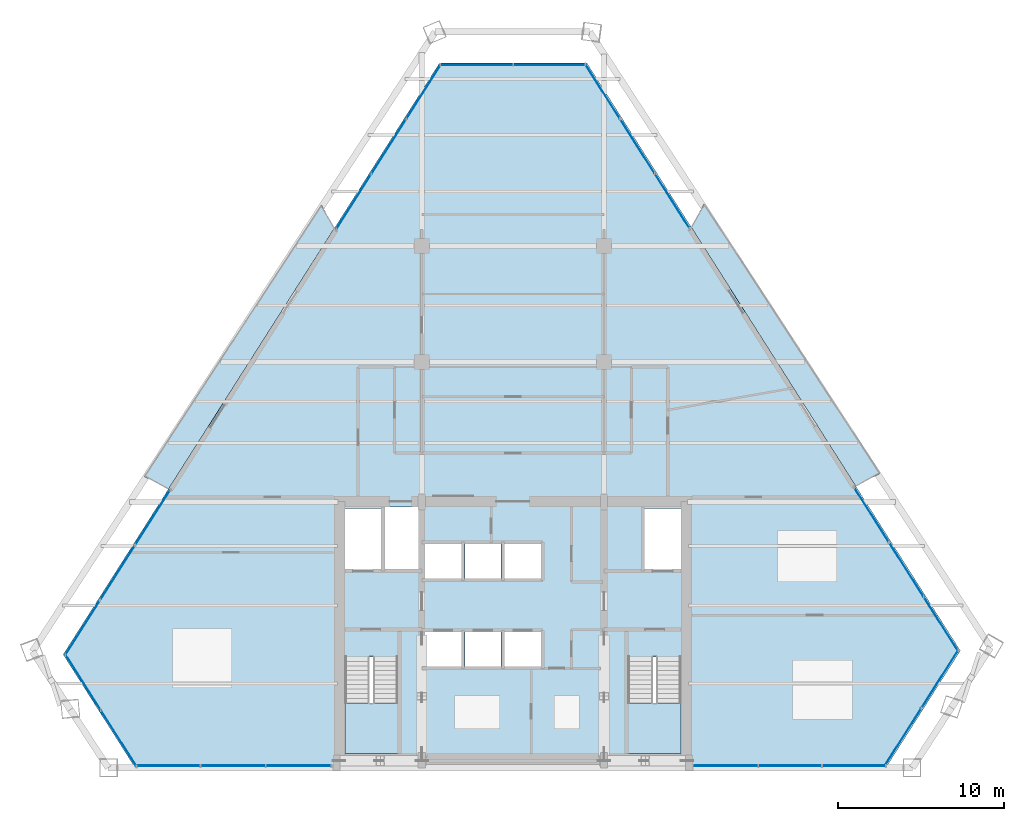
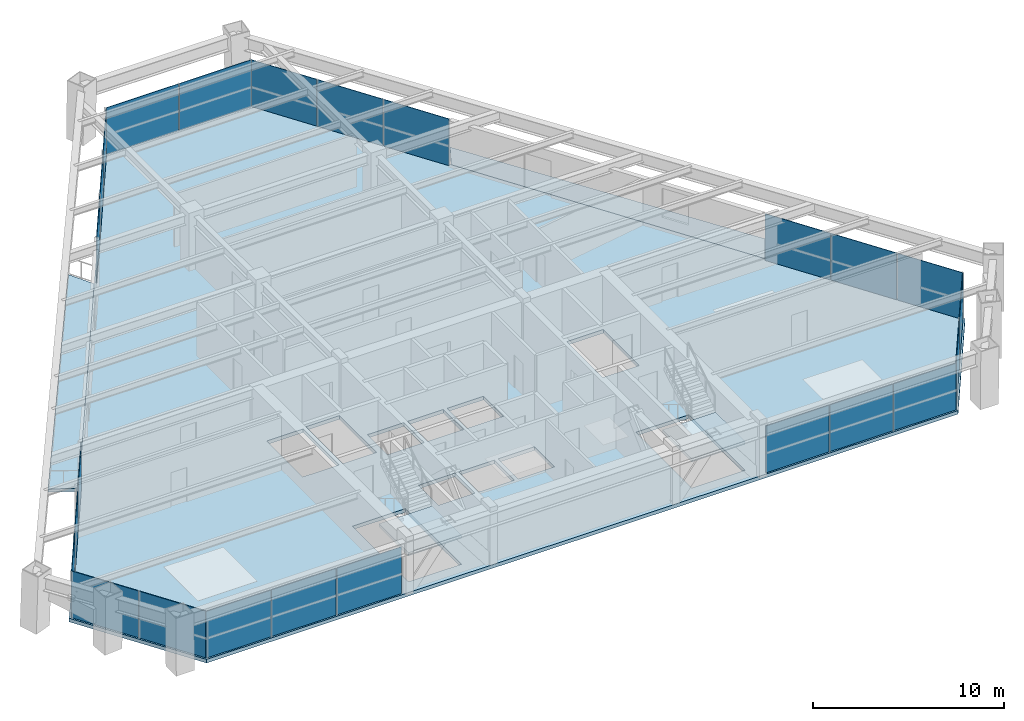
# One storey, part 10 of 15: 24 plates, 5 slabs, 11 elements without a shape of their own.
"""IFC4 building model written with IfcOpenShell, lengths in metres."""

import ifcopenshell
import ifcopenshell.guid

model = None  # the IFC model being written
_history = None  # IfcOwnerHistory: only IFC2X3 demands one
_inside = {}  # id of a spatial element -> (the spatial element, [elements in it])
_under = {}  # id of a project, library or spatial element -> (it, [spatial elements below it])
_declared = {}  # id of a project -> (the project, [libraries it declares])
_typed = {}  # id of a type object -> (the type object, [elements of that type])
_made_of = {}  # id of a material, layer set ... -> (it, [elements and type objects made of it])


def new_model(schema):
    """Start an empty IFC model of exactly this schema.

    Asked for "IFC4X3", IfcOpenShell would pick the latest addendum, in which some entities
    have other attributes; the version numbers below select the first issue.
    IFC2X3 requires an IfcOwnerHistory on every rooted entity: one is made here for all.
    """
    global model, _history
    if schema == "IFC4X3":
        model = ifcopenshell.file(schema_version=(4, 3, 0, 0))
    else:
        model = ifcopenshell.file(schema=schema)
    _inside.clear()
    _under.clear()
    _declared.clear()
    _typed.clear()
    _made_of.clear()
    _history = None
    if model.schema == "IFC2X3":
        org = make("IfcOrganization", Name="unknown")
        user = make(
            "IfcPersonAndOrganization",
            ThePerson=make("IfcPerson", FamilyName="unknown"),
            TheOrganization=org,
        )
        app = make(
            "IfcApplication",
            ApplicationDeveloper=org,
            Version="unknown",
            ApplicationFullName="unknown",
            ApplicationIdentifier="unknown",
        )
        _history = make(
            "IfcOwnerHistory",
            OwningUser=user,
            OwningApplication=app,
            ChangeAction="ADDED",
            CreationDate=0,
        )
    return model


def make(cls, **values):
    """One entity of the class cls with the attributes given. An attribute that is None is left unset."""
    return model.create_entity(
        cls, **{name: value for name, value in values.items() if value is not None}
    )


def rooted(cls, **values):
    """An entity with a GlobalId (a new one), such as an element, a storey or a relation."""
    return make(cls, GlobalId=ifcopenshell.guid.new(), OwnerHistory=_history, **values)


def si_unit(unit_type, name, prefix=None):
    """IfcSIUnit, for example si_unit("LENGTHUNIT", "METRE", prefix="MILLI")."""
    return make("IfcSIUnit", UnitType=unit_type, Prefix=prefix, Name=name)


def assignment(units):
    """IfcUnitAssignment: the units of a project."""
    return None if units is None else make("IfcUnitAssignment", Units=units)


def point(xyz):
    """IfcCartesianPoint."""
    return None if xyz is None else make("IfcCartesianPoint", Coordinates=xyz)


def direction(xyz):
    """IfcDirection."""
    return None if xyz is None else make("IfcDirection", DirectionRatios=xyz)


def frame(location, z_axis=None, x_axis=None):
    """IfcAxis2Placement3D, a coordinate frame: its origin and axes. An axis left out is left unset."""
    return make(
        "IfcAxis2Placement3D",
        Location=point(location),
        Axis=direction(z_axis),
        RefDirection=direction(x_axis),
    )


def frame_2d(location, x_axis=None):
    """IfcAxis2Placement2D, a coordinate frame in the plane: its origin and x axis."""
    return make(
        "IfcAxis2Placement2D", Location=point(location), RefDirection=direction(x_axis)
    )


def origin():
    """The frame at (0, 0, 0) with its axes left unset."""
    return frame((0.0, 0.0, 0.0))


def origin_2d():
    """The frame at (0, 0) in the plane with its x axis left unset."""
    return frame_2d((0.0, 0.0))


def place(relative_to, where):
    """IfcLocalPlacement: puts the frame where relative to a parent placement (None: the world)."""
    return make(
        "IfcLocalPlacement", PlacementRelTo=relative_to, RelativePlacement=where
    )


def context(
    kind, dimensions, precision=None, world=None, true_north=None, identifier=None
):
    """IfcGeometricRepresentationContext, for example the 3D "Model" context."""
    return make(
        "IfcGeometricRepresentationContext",
        ContextIdentifier=identifier,
        ContextType=kind,
        CoordinateSpaceDimension=dimensions,
        Precision=precision,
        WorldCoordinateSystem=world,
        TrueNorth=true_north,
    )


def subcontext(parent, identifier, kind, view, scale=None):
    """IfcGeometricRepresentationSubContext, for example "Body" below "Model"."""
    return make(
        "IfcGeometricRepresentationSubContext",
        ContextIdentifier=identifier,
        ContextType=kind,
        ParentContext=parent,
        TargetScale=scale,
        TargetView=view,
    )


def project(units=None, contexts=None):
    """IfcProject with its units and contexts."""
    return rooted(
        "IfcProject",
        Name="project",
        RepresentationContexts=contexts,
        UnitsInContext=assignment(units),
    )


def spatial(cls, under=None, at=None, **own):
    """A site, building, storey or space (cls), placed at a placement, below another one or the project."""
    s = rooted(cls, ObjectPlacement=at, **own)
    if under is not None:
        _under.setdefault(under.id(), (under, []))[1].append(s)
    return s


def polyline(points):
    """IfcPolyline through the points."""
    return make("IfcPolyline", Points=[point(p) for p in points])


def profile(cls, at=None, kind="AREA", **sizes):
    """A parametric profile (cls). Its sizes go by their IFC names, for example OverallWidth=200.0."""
    return make(cls, ProfileType=kind, Position=at, **sizes)


def rectangle(**sizes):
    """IfcRectangleProfileDef."""
    return profile("IfcRectangleProfileDef", **sizes)


def outline(outer, holes=None, kind="AREA"):
    """IfcArbitraryClosedProfileDef: a profile drawn as a closed curve; with holes, ...WithVoids."""
    if holes is None:
        return make("IfcArbitraryClosedProfileDef", ProfileType=kind, OuterCurve=outer)
    return make(
        "IfcArbitraryProfileDefWithVoids",
        ProfileType=kind,
        OuterCurve=outer,
        InnerCurves=holes,
    )


def extrude(swept, where, along, depth):
    """IfcExtrudedAreaSolid: the profile swept, set in the frame where, extruded along a direction by depth."""
    return make(
        "IfcExtrudedAreaSolid",
        SweptArea=swept,
        Position=where,
        ExtrudedDirection=direction(along),
        Depth=depth,
    )


def shape(context_of_items, identifier, shape_type, items):
    """IfcShapeRepresentation: the items that make up one representation, for example the "Body"."""
    return make(
        "IfcShapeRepresentation",
        ContextOfItems=context_of_items,
        RepresentationIdentifier=identifier,
        RepresentationType=shape_type,
        Items=items,
    )


def source(mapping_origin, context_of_items, identifier, shape_type, items):
    """IfcRepresentationMap: a shape defined once, which mapped items show again and again."""
    return make(
        "IfcRepresentationMap",
        MappingOrigin=mapping_origin,
        MappedRepresentation=shape(context_of_items, identifier, shape_type, items),
    )


def transform(
    local_origin,
    x_axis=None,
    y_axis=None,
    z_axis=None,
    scale=None,
    scale2=None,
    scale3=None,
    uniform=True,
):
    """IfcCartesianTransformationOperator3D, or its non-uniform kind. x_axis, y_axis, z_axis: its Axis1, 2, 3."""
    if uniform:
        return make(
            "IfcCartesianTransformationOperator3D",
            Axis1=direction(x_axis),
            Axis2=direction(y_axis),
            LocalOrigin=point(local_origin),
            Scale=scale,
            Axis3=direction(z_axis),
        )
    return make(
        "IfcCartesianTransformationOperator3DnonUniform",
        Axis1=direction(x_axis),
        Axis2=direction(y_axis),
        LocalOrigin=point(local_origin),
        Scale=scale,
        Axis3=direction(z_axis),
        Scale2=scale2,
        Scale3=scale3,
    )


def mapped(mapping_source, mapping_target):
    """IfcMappedItem: shows the shape of a source again, moved by a transform."""
    return make(
        "IfcMappedItem", MappingSource=mapping_source, MappingTarget=mapping_target
    )


def material(Name=None, Category=None):
    """IfcMaterial."""
    return make("IfcMaterial", Name=Name, Category=Category)


def layer(
    of_material, thickness, ventilated=None, Name=None, Category=None, Priority=None
):
    """IfcMaterialLayer: one layer of a wall or slab, of a material (None: an air gap)."""
    return make(
        "IfcMaterialLayer",
        Material=of_material,
        LayerThickness=thickness,
        IsVentilated=ventilated,
        Name=Name,
        Category=Category,
        Priority=Priority,
    )


def layer_set(layers, Name=None):
    """IfcMaterialLayerSet."""
    return make("IfcMaterialLayerSet", MaterialLayers=layers, LayerSetName=Name)


def made_of(thing, what):
    """Note that an element or type object is made of a material, layer set ...; save() writes the relation."""
    if what is not None:
        _made_of.setdefault(what.id(), (what, []))[1].append(thing)
    return thing


def type_object(cls, material=None, **own):
    """A type object (cls), such as IfcWallType, which elements share."""
    return made_of(rooted(cls, **own), material)


def element(
    cls,
    number,
    at=None,
    inside=None,
    cuts=None,
    type_object=None,
    material=None,
    context=None,
    identifier="Body",
    shape_type=None,
    held_by="IfcProductDefinitionShape",
    body=None,
    shapes=None,
    **own,
):
    """One element of the class cls, such as IfcWall. Its Tag is "e" and its number.

    at: its placement. inside: the storey or other place that contains it. cuts: it is an
    opening in that element (IfcRelVoidsElement). A single representation is given by context,
    identifier, shape_type and body (its items); several are given by shapes. held_by: the class
    of the entity that holds the representations. save() writes the other relations.
    """
    e = rooted(cls, Tag="e%d" % number, ObjectPlacement=at, **own)
    if body is not None:
        shapes = [shape(context, identifier, shape_type, body)]
    if shapes is not None:
        e.Representation = make(held_by, Representations=shapes)
    if inside is not None:
        _inside.setdefault(inside.id(), (inside, []))[1].append(e)
    if cuts is not None:
        rooted(
            "IfcRelVoidsElement", RelatingBuildingElement=cuts, RelatedOpeningElement=e
        )
    if type_object is not None:
        _typed.setdefault(type_object.id(), (type_object, []))[1].append(e)
    return made_of(e, material)


def aggregate(whole, parts):
    """IfcRelAggregates: a whole, such as a stair, and the parts it consists of."""
    return rooted("IfcRelAggregates", RelatingObject=whole, RelatedObjects=parts)


def save(model, path):
    """Write the relations noted so far, then the file.

    IfcRelAggregates (storeys below a building ...), IfcRelContainedInSpatialStructure (elements
    in a storey), IfcRelDefinesByType, IfcRelAssociatesMaterial and IfcRelDeclares: one each for
    every whole, place, type object, material and project.
    """
    for whole, parts in _under.values():
        aggregate(whole, parts)
    for where, things in _inside.values():
        rooted(
            "IfcRelContainedInSpatialStructure",
            RelatedElements=things,
            RelatingStructure=where,
        )
    for kind, things in _typed.values():
        rooted("IfcRelDefinesByType", RelatedObjects=things, RelatingType=kind)
    for what, things in _made_of.values():
        rooted("IfcRelAssociatesMaterial", RelatedObjects=things, RelatingMaterial=what)
    for by, libraries in _declared.values():
        rooted("IfcRelDeclares", RelatingContext=by, RelatedDefinitions=libraries)
    model.write(path)


model = new_model("IFC4")

# Units and contexts
model_context = context("Model", 3, precision=1e-05, world=origin(), true_north=direction((0.0, 1.0)))
body_context = subcontext(model_context, "Body", "Model", "MODEL_VIEW")
ifc_project = project(units=[si_unit("LENGTHUNIT", "METRE"), si_unit("AREAUNIT", "SQUARE_METRE"), si_unit("VOLUMEUNIT", "CUBIC_METRE"), si_unit("PLANEANGLEUNIT", "RADIAN"), si_unit("MASSUNIT", "GRAM", prefix="KILO")], contexts=[model_context])

# Site, building, storey
site_placement = place(None, origin())
site = spatial("IfcSite", under=ifc_project, at=site_placement, CompositionType="ELEMENT")
building_placement = place(site_placement, origin())
building = spatial("IfcBuilding", under=site, at=building_placement, Name="Varnakhor Terracotta Tower", CompositionType="ELEMENT")
storey_placement = place(building_placement, frame((0.0, 0.0, 162.60009765625)))
storey = spatial("IfcBuildingStorey", under=building, at=storey_placement, Name="L41", CompositionType="ELEMENT", Elevation=162.60009765625)

# Stair, slab
ifc_material_1 = material(Name="Concrete C40/50", Category="concrete")
stair_type = type_object("IfcStairType", Name="STR-CORE-OFFICE-1500", PredefinedType="HALF_TURN_STAIR", material=ifc_material_1)
stair_1_placement = place(storey_placement, origin())
stair_1 = element("IfcStair", 1, at=stair_1_placement, inside=storey, type_object=stair_type, Name="L41 Core Exit Stair ST-1", PredefinedType="HALF_TURN_STAIR")
ifc_layer_1 = layer(ifc_material_1, 0.179931640625, Name="Concrete C40/50")
ifc_layer_set_1 = layer_set([ifc_layer_1], Name="Concrete C40/50")
slab_type_1 = type_object("IfcSlabType", Name="SLB-LANDING-180", PredefinedType="LANDING", material=ifc_layer_set_1)
slab_1_placement = place(storey_placement, frame((0.0, 0.0, 1.64990234375)))
slab_1 = element("IfcSlab", 2, at=slab_1_placement, type_object=slab_type_1, Name="ST-1 landing 1", PredefinedType="LANDING", context=body_context, shape_type="SweptSolid", body=[
    extrude(outline(polyline([(-10.14990234375, 3.909912109375), (-10.14990234375, 0.85009765625), (-6.949951171875, 0.85009765625), (-6.949951171875, 3.909912109375), (-10.14990234375, 3.909912109375)])), origin(), (0.0, 0.0, 1.0), 0.199951171875),
])
aggregate(stair_1, [slab_1])

stair_2_placement = place(storey_placement, origin())
stair_2 = element("IfcStair", 3, at=stair_2_placement, inside=storey, type_object=stair_type, Name="L41 Core Exit Stair ST-2", PredefinedType="HALF_TURN_STAIR")
slab_2_placement = place(storey_placement, frame((0.0, 0.0, 1.64990234375)))
slab_2 = element("IfcSlab", 4, at=slab_2_placement, type_object=slab_type_1, Name="ST-2 landing 1", PredefinedType="LANDING", context=body_context, shape_type="SweptSolid", body=[
    extrude(outline(polyline([(6.949951171875, 3.909912109375), (6.949951171875, 0.85009765625), (10.14990234375, 0.85009765625), (10.14990234375, 3.909912109375), (6.949951171875, 3.909912109375)])), origin(), (0.0, 0.0, 1.0), 0.199951171875),
])
aggregate(stair_2, [slab_2])

# Slabs
ifc_layer_2 = layer(ifc_material_1, 0.195068359375, Name="Concrete C40/50")
ifc_layer_set_2 = layer_set([ifc_layer_2], Name="Concrete C40/50")
slab_type_2 = type_object("IfcSlabType", Name="SLB-LOGGIA-EXT-195", PredefinedType="FLOOR", material=ifc_layer_set_2)
slab_3_placement = place(storey_placement, frame((0.0, 0.0, -0.195068359375)))
element("IfcSlab", 5, at=slab_3_placement, inside=storey, type_object=slab_type_2, Name="L41 E Recessed Outdoor Loggia Slab", PredefinedType="FLOOR", context=body_context, shape_type="SweptSolid", body=[
    extrude(outline(polyline([(11.527099609375, 34.039794921875), (22.144287109375, 17.74365234375), (20.699462890625, 17.005859375), (10.775634765625, 32.62451171875), (11.527099609375, 34.039794921875)])), origin(), (0.0, 0.0, 1.0), 0.195068359375),
])
slab_4_placement = place(storey_placement, frame((0.0, 0.0, -0.195068359375)))
element("IfcSlab", 6, at=slab_4_placement, inside=storey, type_object=slab_type_2, Name="L41 W Recessed Outdoor Loggia Slab", PredefinedType="FLOOR", context=body_context, shape_type="SweptSolid", body=[
    extrude(outline(polyline([(-22.2421875, 17.570556640625), (-11.54248046875, 33.97265625), (-10.7880859375, 32.559814453125), (-20.7900390625, 16.840087890625), (-22.2421875, 17.570556640625)])), origin(), (0.0, 0.0, 1.0), 0.195068359375),
])
ifc_layer_3 = layer(ifc_material_1, 0.22998046875, Name="Concrete C40/50")
ifc_layer_set_3 = layer_set([ifc_layer_3], Name="Concrete C40/50")
slab_type_3 = type_object("IfcSlabType", Name="SLB-OFF-230", PredefinedType="FLOOR", material=ifc_layer_set_3)
slab_5_placement = place(storey_placement, frame((0.0, 0.0, -0.22998046875)))
element("IfcSlab", 7, at=slab_5_placement, inside=storey, type_object=slab_type_3, Name="L41 Structural Floor Slab", PredefinedType="FLOOR", context=body_context, shape_type="SweptSolid", body=[
    extrude(outline(polyline([(-27.15478515625, 6.83642578125), (-4.423583984375, 42.5634765625), (4.460693359375, 42.5634765625), (27.014404296875, 7.066650390625), (22.518310546875, 0.0), (-22.81103515625, 0.0), (-27.15478515625, 6.83642578125)]), holes=[polyline([(-6.949951171875, 0.85009765625), (-6.949951171875, 6.695068359375), (-10.14990234375, 6.695068359375), (-10.14990234375, 0.85009765625), (-6.949951171875, 0.85009765625)]), polyline([(-3.10009765625, 6.10009765625), (-3.10009765625, 8.199951171875), (-5.300048828125, 8.199951171875), (-5.300048828125, 6.10009765625), (-3.10009765625, 6.10009765625)]), polyline([(-0.719970703125, 6.10009765625), (-0.719970703125, 8.199951171875), (-2.8798828125, 8.199951171875), (-2.8798828125, 6.10009765625), (-0.719970703125, 6.10009765625)]), polyline([(-5.300048828125, 11.419921875), (-3.10009765625, 11.419921875), (-3.10009765625, 13.52001953125), (-5.300048828125, 13.52001953125), (-5.300048828125, 11.419921875)]), polyline([(-10.14990234375, 11.8798828125), (-7.949951171875, 11.8798828125), (-7.949951171875, 15.64990234375), (-10.14990234375, 15.64990234375), (-10.14990234375, 11.8798828125)]), polyline([(-5.699951171875, 11.8798828125), (-5.699951171875, 15.75), (-7.72998046875, 15.75), (-7.72998046875, 11.8798828125), (-5.699951171875, 11.8798828125)]), polyline([(6.949951171875, 0.85009765625), (10.14990234375, 0.85009765625), (10.14990234375, 6.695068359375), (6.949951171875, 6.695068359375), (6.949951171875, 0.85009765625)]), polyline([(-0.5, 6.10009765625), (1.699951171875, 6.10009765625), (1.699951171875, 8.199951171875), (-0.5, 8.199951171875), (-0.5, 6.10009765625)]), polyline([(-0.719970703125, 11.419921875), (-0.719970703125, 13.52001953125), (-2.8798828125, 13.52001953125), (-2.8798828125, 11.419921875), (-0.719970703125, 11.419921875)]), polyline([(-0.5, 11.419921875), (1.699951171875, 11.419921875), (1.699951171875, 13.52001953125), (-0.5, 13.52001953125), (-0.5, 11.419921875)]), polyline([(7.949951171875, 11.8798828125), (10.14990234375, 11.8798828125), (10.14990234375, 15.64990234375), (7.949951171875, 15.64990234375), (7.949951171875, 11.8798828125)])]), origin(), (0.0, 0.0, 1.0), 0.22998046875),
])

# Curtain wall, plate
ifc_material_2 = material(Name="Anodised Aluminium Curtain Wall System", Category="aluminium")
curtain_wall_type = type_object("IfcCurtainWallType", Name="CW-SYS-MID-OFFICE", PredefinedType="NOTDEFINED", material=ifc_material_2)
curtain_wall_1_placement = place(storey_placement, origin())
curtain_wall_1 = element("IfcCurtainWall", 8, at=curtain_wall_1_placement, inside=storey, type_object=curtain_wall_type, Name="L41 W Facet Curtain Wall 1", PredefinedType="NOTDEFINED")
ifc_material_3 = material(Name="Solar-Control Low-E Insulated Glass Panel", Category="glass")
ifc_layer_4 = layer(ifc_material_3, 0.035888671875, Name="Solar-Control Low-E Insulated Glass Panel")
ifc_layer_set_4 = layer_set([ifc_layer_4], Name="Solar-Control Low-E Insulated Glass Panel")
plate_type = type_object("IfcPlateType", Name="CWP-03", PredefinedType="CURTAIN_PANEL", material=ifc_layer_set_4)
shared_shape_1 = source(origin(), body_context, "Body", "SweptSolid", [
    extrude(rectangle(XDim=3.89208984375, YDim=0.035888671875, at=origin_2d()), origin(), (0.0, 0.0, 1.0), 2.97998046875),
])
plate_1_placement = place(storey_placement, frame((-25.98193359375, 8.4560546875, 0.0), z_axis=(0.0, 0.0, 1.0), x_axis=(0.536799035216, 0.843710137305, 0.0)))
plate_1 = element("IfcPlate", 9, at=plate_1_placement, type_object=plate_type, Name="L41 W Facet Curtain Wall 1 Glazed Panel 1", PredefinedType="CURTAIN_PANEL", context=body_context, shape_type="MappedRepresentation", body=[
    mapped(shared_shape_1, transform((0.0, 0.0, 0.0), scale=1.0)),
])

curtain_wall_2_placement = place(storey_placement, origin())
curtain_wall_2 = element("IfcCurtainWall", 10, at=curtain_wall_2_placement, inside=storey, type_object=curtain_wall_type, Name="L41 W Facet Curtain Wall 2", PredefinedType="NOTDEFINED")
plate_2_placement = place(storey_placement, frame((-7.504638671875, 37.497314453125, 0.0), z_axis=(0.0, 0.0, 1.0), x_axis=(0.536799035216, 0.843710137305, 0.0)))
plate_2 = element("IfcPlate", 11, at=plate_2_placement, type_object=plate_type, Name="L41 W Facet Curtain Wall 2 Glazed Panel 2", PredefinedType="CURTAIN_PANEL", context=body_context, shape_type="MappedRepresentation", body=[
    mapped(shared_shape_1, transform((0.0, 0.0, 0.0), scale=1.0)),
])

# Plate
shared_shape_2 = source(origin(), body_context, "Body", "SweptSolid", [
    extrude(rectangle(XDim=3.892333984375, YDim=0.035888671875, at=origin_2d()), origin(), (0.0, 0.0, 1.0), 2.97998046875),
])
plate_3_placement = place(storey_placement, frame((-23.87109375, 11.773681640625, 0.0), z_axis=(0.0, 0.0, 1.0), x_axis=(0.536799035216, 0.843710137305, 0.0)))
plate_3 = element("IfcPlate", 12, at=plate_3_placement, type_object=plate_type, Name="L41 W Facet Curtain Wall 1 Glazed Panel 2", PredefinedType="CURTAIN_PANEL", context=body_context, shape_type="MappedRepresentation", body=[
    mapped(shared_shape_2, transform((0.0, 0.0, 0.0), scale=1.0)),
])

plate_4_placement = place(storey_placement, frame((-21.76025390625, 15.091552734375, 0.0), z_axis=(0.0, 0.0, 1.0), x_axis=(0.536799035216, 0.843710137305, 0.0)))
plate_4 = element("IfcPlate", 13, at=plate_4_placement, type_object=plate_type, Name="L41 W Facet Curtain Wall 1 Glazed Panel 3", PredefinedType="CURTAIN_PANEL", context=body_context, shape_type="MappedRepresentation", body=[
    mapped(shared_shape_2, transform((0.0, 0.0, 0.0), scale=1.0)),
])

aggregate(curtain_wall_1, [plate_1, plate_3, plate_4])

plate_5_placement = place(storey_placement, frame((-9.615478515625, 34.1796875, 0.0), z_axis=(0.0, 0.0, 1.0), x_axis=(0.536799035216, 0.843710137305, 0.0)))
plate_5 = element("IfcPlate", 14, at=plate_5_placement, type_object=plate_type, Name="L41 W Facet Curtain Wall 2 Glazed Panel 1", PredefinedType="CURTAIN_PANEL", context=body_context, shape_type="MappedRepresentation", body=[
    mapped(shared_shape_2, transform((0.0, 0.0, 0.0), scale=1.0)),
])

plate_6_placement = place(storey_placement, frame((-5.393798828125, 40.81494140625, 0.0), z_axis=(0.0, 0.0, 1.0), x_axis=(0.536799035216, 0.843710137305, 0.0)))
plate_6 = element("IfcPlate", 15, at=plate_6_placement, type_object=plate_type, Name="L41 W Facet Curtain Wall 2 Glazed Panel 3", PredefinedType="CURTAIN_PANEL", context=body_context, shape_type="MappedRepresentation", body=[
    mapped(shared_shape_2, transform((0.0, 0.0, 0.0), scale=1.0)),
])

aggregate(curtain_wall_2, [plate_5, plate_2, plate_6])

# Curtain wall, plates
curtain_wall_3_placement = place(storey_placement, origin())
curtain_wall_3 = element("IfcCurtainWall", 16, at=curtain_wall_3_placement, inside=storey, type_object=curtain_wall_type, Name="L41 Facet Curtain Wall 2", PredefinedType="NOTDEFINED")
shared_shape_3 = source(origin(), body_context, "Body", "SweptSolid", [
    extrude(rectangle(XDim=4.3720703125, YDim=0.035888671875, at=origin_2d()), origin(), (0.0, 0.0, 1.0), 2.97998046875),
])
plate_7_placement = place(storey_placement, frame((-2.1875, 42.443603515625, 0.0), z_axis=(0.0, 0.0, 1.0), x_axis=(1.0, 0.0, 0.0)))
plate_7 = element("IfcPlate", 17, at=plate_7_placement, type_object=plate_type, Name="L41 Facet Curtain Wall 2 Glazed Panel 1", PredefinedType="CURTAIN_PANEL", context=body_context, shape_type="MappedRepresentation", body=[
    mapped(shared_shape_3, transform((0.0, 0.0, 0.0), scale=1.0)),
])
plate_8_placement = place(storey_placement, frame((2.224609375, 42.443603515625, 0.0), z_axis=(0.0, 0.0, 1.0), x_axis=(1.0, 0.0, 0.0)))
plate_8 = element("IfcPlate", 18, at=plate_8_placement, type_object=plate_type, Name="L41 Facet Curtain Wall 2 Glazed Panel 2", PredefinedType="CURTAIN_PANEL", context=body_context, shape_type="MappedRepresentation", body=[
    mapped(shared_shape_3, transform((0.0, 0.0, 0.0), scale=1.0)),
])
aggregate(curtain_wall_3, [plate_7, plate_8])

curtain_wall_4_placement = place(storey_placement, origin())
curtain_wall_4 = element("IfcCurtainWall", 19, at=curtain_wall_4_placement, inside=storey, type_object=curtain_wall_type, Name="L41 E Facet Curtain Wall 1", PredefinedType="NOTDEFINED")
shared_shape_4 = source(origin(), body_context, "Body", "SweptSolid", [
    extrude(rectangle(XDim=3.865234375, YDim=0.035888671875, at=origin_2d()), origin(), (0.0, 0.0, 1.0), 2.97998046875),
])
plate_9_placement = place(storey_placement, frame((5.422607421875, 40.82568359375, 0.0), z_axis=(0.0, 0.0, 1.0), x_axis=(0.536283541899, -0.844037891737, 0.0)))
plate_9 = element("IfcPlate", 20, at=plate_9_placement, type_object=plate_type, Name="L41 E Facet Curtain Wall 1 Glazed Panel 1", PredefinedType="CURTAIN_PANEL", context=body_context, shape_type="MappedRepresentation", body=[
    mapped(shared_shape_4, transform((0.0, 0.0, 0.0), scale=1.0)),
])
plate_10_placement = place(storey_placement, frame((7.516845703125, 37.529541015625, 0.0), z_axis=(0.0, 0.0, 1.0), x_axis=(0.536283541899, -0.844037891737, 0.0)))
plate_10 = element("IfcPlate", 21, at=plate_10_placement, type_object=plate_type, Name="L41 E Facet Curtain Wall 1 Glazed Panel 2", PredefinedType="CURTAIN_PANEL", context=body_context, shape_type="MappedRepresentation", body=[
    mapped(shared_shape_4, transform((0.0, 0.0, 0.0), scale=1.0)),
])
plate_11_placement = place(storey_placement, frame((9.611328125, 34.2333984375, 0.0), z_axis=(0.0, 0.0, 1.0), x_axis=(0.536283541899, -0.844037891737, 0.0)))
plate_11 = element("IfcPlate", 22, at=plate_11_placement, type_object=plate_type, Name="L41 E Facet Curtain Wall 1 Glazed Panel 3", PredefinedType="CURTAIN_PANEL", context=body_context, shape_type="MappedRepresentation", body=[
    mapped(shared_shape_4, transform((0.0, 0.0, 0.0), scale=1.0)),
])
aggregate(curtain_wall_4, [plate_9, plate_10, plate_11])

curtain_wall_5_placement = place(storey_placement, origin())
curtain_wall_5 = element("IfcCurtainWall", 23, at=curtain_wall_5_placement, inside=storey, type_object=curtain_wall_type, Name="L41 E Facet Curtain Wall 2", PredefinedType="NOTDEFINED")
plate_12_placement = place(storey_placement, frame((21.661376953125, 15.26806640625, 0.0), z_axis=(0.0, 0.0, 1.0), x_axis=(0.536283541899, -0.844037891737, 0.0)))
plate_12 = element("IfcPlate", 24, at=plate_12_placement, type_object=plate_type, Name="L41 E Facet Curtain Wall 2 Glazed Panel 1", PredefinedType="CURTAIN_PANEL", context=body_context, shape_type="MappedRepresentation", body=[
    mapped(shared_shape_4, transform((0.0, 0.0, 0.0), scale=1.0)),
])
plate_13_placement = place(storey_placement, frame((23.755615234375, 11.971923828125, 0.0), z_axis=(0.0, 0.0, 1.0), x_axis=(0.536283541899, -0.844037891737, 0.0)))
plate_13 = element("IfcPlate", 25, at=plate_13_placement, type_object=plate_type, Name="L41 E Facet Curtain Wall 2 Glazed Panel 2", PredefinedType="CURTAIN_PANEL", context=body_context, shape_type="MappedRepresentation", body=[
    mapped(shared_shape_4, transform((0.0, 0.0, 0.0), scale=1.0)),
])
plate_14_placement = place(storey_placement, frame((25.849853515625, 8.67578125, 0.0), z_axis=(0.0, 0.0, 1.0), x_axis=(0.536283541899, -0.844037891737, 0.0)))
plate_14 = element("IfcPlate", 26, at=plate_14_placement, type_object=plate_type, Name="L41 E Facet Curtain Wall 2 Glazed Panel 3", PredefinedType="CURTAIN_PANEL", context=body_context, shape_type="MappedRepresentation", body=[
    mapped(shared_shape_4, transform((0.0, 0.0, 0.0), scale=1.0)),
])
aggregate(curtain_wall_5, [plate_12, plate_13, plate_14])

curtain_wall_6_placement = place(storey_placement, origin())
curtain_wall_6 = element("IfcCurtainWall", 27, at=curtain_wall_6_placement, inside=storey, type_object=curtain_wall_type, Name="L41 Facet Curtain Wall 4", PredefinedType="NOTDEFINED")
shared_shape_5 = source(origin(), body_context, "Body", "SweptSolid", [
    extrude(rectangle(XDim=4.117919921875, YDim=0.035888671875, at=origin_2d()), origin(), (0.0, 0.0, 1.0), 2.97998046875),
])
plate_15_placement = place(storey_placement, frame((25.781005859375, 5.351806640625, 0.0), z_axis=(0.0, 0.0, 1.0), x_axis=(-0.536813760654, -0.843700768266, 0.0)))
plate_15 = element("IfcPlate", 28, at=plate_15_placement, type_object=plate_type, Name="L41 Facet Curtain Wall 4 Glazed Panel 1", PredefinedType="CURTAIN_PANEL", context=body_context, shape_type="MappedRepresentation", body=[
    mapped(shared_shape_5, transform((0.0, 0.0, 0.0), scale=1.0)),
])
plate_16_placement = place(storey_placement, frame((23.549072265625, 1.84375, 0.0), z_axis=(0.0, 0.0, 1.0), x_axis=(-0.536813760654, -0.843700768266, 0.0)))
plate_16 = element("IfcPlate", 29, at=plate_16_placement, type_object=plate_type, Name="L41 Facet Curtain Wall 4 Glazed Panel 2", PredefinedType="CURTAIN_PANEL", context=body_context, shape_type="MappedRepresentation", body=[
    mapped(shared_shape_5, transform((0.0, 0.0, 0.0), scale=1.0)),
])
aggregate(curtain_wall_6, [plate_15, plate_16])

curtain_wall_7_placement = place(storey_placement, origin())
curtain_wall_7 = element("IfcCurtainWall", 30, at=curtain_wall_7_placement, inside=storey, type_object=curtain_wall_type, Name="L41 South Wing Curtain Wall SSE", PredefinedType="NOTDEFINED")
shared_shape_6 = source(origin(), body_context, "Body", "SweptSolid", [
    extrude(rectangle(XDim=3.80615234375, YDim=0.035888671875, at=origin_2d()), origin(), (0.0, 0.0, 1.0), 2.97998046875),
])
plate_17_placement = place(storey_placement, frame((20.585205078125, 0.1201171875, 0.0), z_axis=(0.0, 0.0, 1.0), x_axis=(-1.0, 0.0, 0.0)))
plate_17 = element("IfcPlate", 31, at=plate_17_placement, type_object=plate_type, Name="L41 South Wing Curtain Wall SSE Glazed Panel 1", PredefinedType="CURTAIN_PANEL", context=body_context, shape_type="MappedRepresentation", body=[
    mapped(shared_shape_6, transform((0.0, 0.0, 0.0), scale=1.0)),
])
plate_18_placement = place(storey_placement, frame((12.89306640625, 0.1201171875, 0.0), z_axis=(0.0, 0.0, 1.0), x_axis=(-1.0, 0.0, 0.0)))
plate_18 = element("IfcPlate", 32, at=plate_18_placement, type_object=plate_type, Name="L41 South Wing Curtain Wall SSE Glazed Panel 3", PredefinedType="CURTAIN_PANEL", context=body_context, shape_type="MappedRepresentation", body=[
    mapped(shared_shape_6, transform((0.0, 0.0, 0.0), scale=1.0)),
])
shared_shape_7 = source(origin(), body_context, "Body", "SweptSolid", [
    extrude(rectangle(XDim=3.805908203125, YDim=0.035888671875, at=origin_2d()), origin(), (0.0, 0.0, 1.0), 2.97998046875),
])
plate_19_placement = place(storey_placement, frame((16.739013671875, 0.1201171875, 0.0), z_axis=(0.0, 0.0, 1.0), x_axis=(-1.0, 0.0, 0.0)))
plate_19 = element("IfcPlate", 33, at=plate_19_placement, type_object=plate_type, Name="L41 South Wing Curtain Wall SSE Glazed Panel 2", PredefinedType="CURTAIN_PANEL", context=body_context, shape_type="MappedRepresentation", body=[
    mapped(shared_shape_7, transform((0.0, 0.0, 0.0), scale=1.0)),
])
aggregate(curtain_wall_7, [plate_17, plate_19, plate_18])

curtain_wall_8_placement = place(storey_placement, origin())
curtain_wall_8 = element("IfcCurtainWall", 34, at=curtain_wall_8_placement, inside=storey, type_object=curtain_wall_type, Name="L41 South Wing Curtain Wall SSW", PredefinedType="NOTDEFINED")
shared_shape_8 = source(origin(), body_context, "Body", "SweptSolid", [
    extrude(rectangle(XDim=3.90380859375, YDim=0.035888671875, at=origin_2d()), origin(), (0.0, 0.0, 1.0), 2.97998046875),
])
plate_20_placement = place(storey_placement, frame((-12.94189453125, 0.1201171875, 0.0), z_axis=(0.0, 0.0, 1.0), x_axis=(-1.0, 0.0, 0.0)))
plate_20 = element("IfcPlate", 35, at=plate_20_placement, type_object=plate_type, Name="L41 South Wing Curtain Wall SSW Glazed Panel 1", PredefinedType="CURTAIN_PANEL", context=body_context, shape_type="MappedRepresentation", body=[
    mapped(shared_shape_8, transform((0.0, 0.0, 0.0), scale=1.0)),
])
plate_21_placement = place(storey_placement, frame((-16.885498046875, 0.1201171875, 0.0), z_axis=(0.0, 0.0, 1.0), x_axis=(-1.0, 0.0, 0.0)))
plate_21 = element("IfcPlate", 36, at=plate_21_placement, type_object=plate_type, Name="L41 South Wing Curtain Wall SSW Glazed Panel 2", PredefinedType="CURTAIN_PANEL", context=body_context, shape_type="MappedRepresentation", body=[
    mapped(shared_shape_8, transform((0.0, 0.0, 0.0), scale=1.0)),
])
plate_22_placement = place(storey_placement, frame((-20.829345703125, 0.1201171875, 0.0), z_axis=(0.0, 0.0, 1.0), x_axis=(-1.0, 0.0, 0.0)))
plate_22 = element("IfcPlate", 37, at=plate_22_placement, type_object=plate_type, Name="L41 South Wing Curtain Wall SSW Glazed Panel 3", PredefinedType="CURTAIN_PANEL", context=body_context, shape_type="MappedRepresentation", body=[
    mapped(shared_shape_8, transform((0.0, 0.0, 0.0), scale=1.0)),
])
aggregate(curtain_wall_8, [plate_20, plate_21, plate_22])

curtain_wall_9_placement = place(storey_placement, origin())
curtain_wall_9 = element("IfcCurtainWall", 38, at=curtain_wall_9_placement, inside=storey, type_object=curtain_wall_type, Name="L41 Facet Curtain Wall 6", PredefinedType="NOTDEFINED")
shared_shape_9 = source(origin(), body_context, "Body", "SweptSolid", [
    extrude(rectangle(XDim=3.979736328125, YDim=0.035888671875, at=origin_2d()), origin(), (0.0, 0.0, 1.0), 2.97998046875),
])
plate_23_placement = place(storey_placement, frame((-23.8037109375, 1.7861328125, 0.0), z_axis=(0.0, 0.0, 1.0), x_axis=(-0.536268810577, 0.844047251522, 0.0)))
plate_23 = element("IfcPlate", 39, at=plate_23_placement, type_object=plate_type, Name="L41 Facet Curtain Wall 6 Glazed Panel 1", PredefinedType="CURTAIN_PANEL", context=body_context, shape_type="MappedRepresentation", body=[
    mapped(shared_shape_9, transform((0.0, 0.0, 0.0), scale=1.0)),
])
plate_24_placement = place(storey_placement, frame((-25.95947265625, 5.178955078125, 0.0), z_axis=(0.0, 0.0, 1.0), x_axis=(-0.536268810577, 0.844047251522, 0.0)))
plate_24 = element("IfcPlate", 40, at=plate_24_placement, type_object=plate_type, Name="L41 Facet Curtain Wall 6 Glazed Panel 2", PredefinedType="CURTAIN_PANEL", context=body_context, shape_type="MappedRepresentation", body=[
    mapped(shared_shape_9, transform((0.0, 0.0, 0.0), scale=1.0)),
])
aggregate(curtain_wall_9, [plate_23, plate_24])

save(model, "model.ifc")
